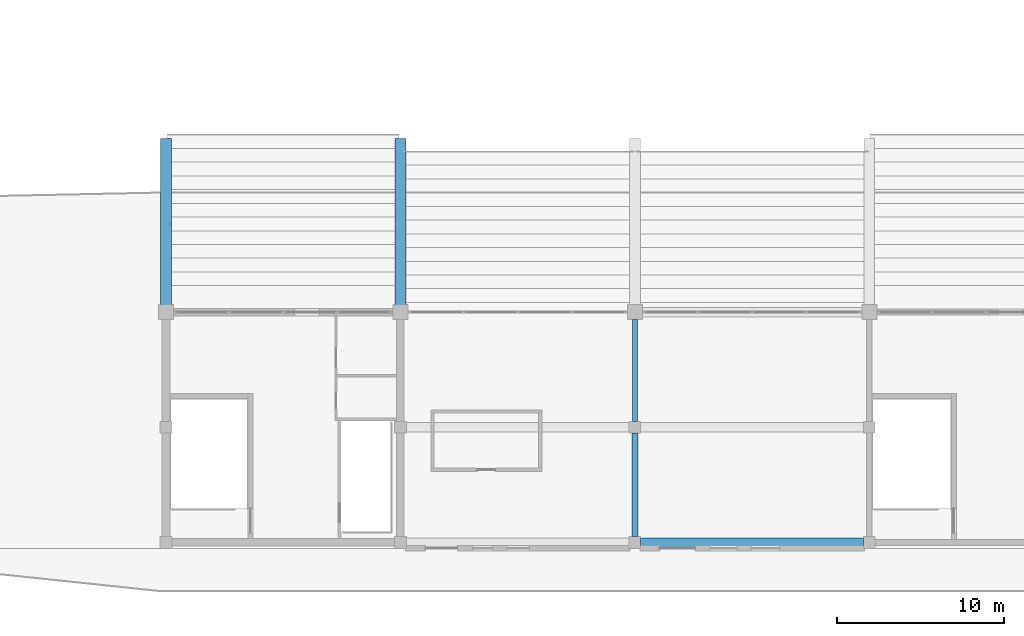
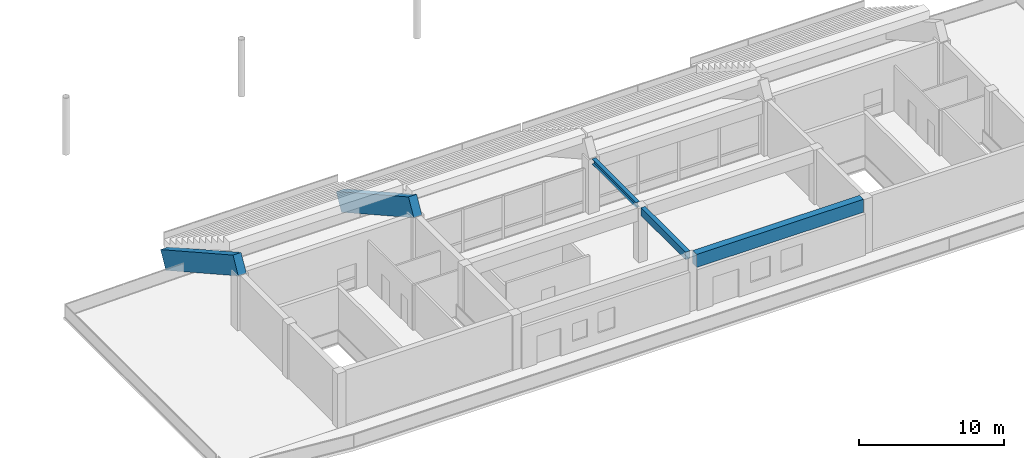
# One storey, part 21 of 94: 5 beams.
"""IFC4 building model written with IfcOpenShell, lengths in metres."""

from ifc_helpers import new_model, si_unit, direction, frame, origin, origin_2d, place, context, subcontext, project, spatial, rectangle, i_section, extrude, material, material_profile, profile_set, type_object, element, save


model = new_model("IFC4")

# Units and contexts
model_context = context("Model", 3, precision=1e-05, world=origin(), true_north=direction((0.0, 1.0)))
body_context = subcontext(model_context, "Body", "Model", "MODEL_VIEW")
ifc_project = project(units=[si_unit("LENGTHUNIT", "METRE"), si_unit("AREAUNIT", "SQUARE_METRE"), si_unit("VOLUMEUNIT", "CUBIC_METRE"), si_unit("PLANEANGLEUNIT", "RADIAN"), si_unit("MASSUNIT", "GRAM", prefix="KILO")], contexts=[model_context])

# Site, building, storey
site_placement = place(None, origin())
site = spatial("IfcSite", under=ifc_project, at=site_placement, CompositionType="ELEMENT")
building_placement = place(site_placement, origin())
building = spatial("IfcBuilding", under=site, at=building_placement, Name="Linyun Crest Stadium", CompositionType="ELEMENT")
storey_placement = place(building_placement, frame((0.0, 0.0, 16.199951171875)))
storey = spatial("IfcBuildingStorey", under=building, at=storey_placement, Name="L04", CompositionType="ELEMENT", Elevation=16.199951171875)

# Beams
ifc_material_1 = material(Name="Concrete C40", Category="concrete")
ifc_material_profile_1 = material_profile(ifc_material_1, rectangle(XDim=0.35009765625, YDim=0.64990234375, at=origin_2d()), Name="RCB 650x350")
ifc_profile_set_1 = profile_set([ifc_material_profile_1], Name="Concrete C40")
beam_type_1 = type_object("IfcBeamType", Name="B02", PredefinedType="BEAM", material=ifc_profile_set_1)
beam_1_placement = place(storey_placement, frame((0.0, -86.89990234375, 4.27001953125), z_axis=(0.0, 1.0, 0.0), x_axis=(-1.0, 0.0, 0.0)))
element("IfcBeam", 1, at=beam_1_placement, inside=storey, type_object=beam_type_1, Name="Frame beam B02 L04 945", PredefinedType="BEAM", context=body_context, shape_type="SweptSolid", body=[
    extrude(rectangle(XDim=0.35009765625, YDim=0.64990234375, at=origin_2d()), origin(), (0.0, 0.0, 1.0), 6.1748046875),
])
ifc_material_2 = material(Name="Steel Q355C", Category="steel")
ifc_material_profile_2 = material_profile(ifc_material_2, i_section(OverallWidth=0.300048828125, OverallDepth=0.43994140625, WebThickness=0.010986328125, FlangeThickness=0.01806640625, at=origin_2d()), Name="HM 440x300")
ifc_profile_set_2 = profile_set([ifc_material_profile_2], Name="Steel Q355C")
beam_type_2 = type_object("IfcBeamType", Name="B07", PredefinedType="BEAM", material=ifc_profile_set_2)
beam_2_placement = place(storey_placement, frame((0.0, -80.02490234375, 4.375), z_axis=(0.0, 1.0, 0.0), x_axis=(-1.0, 0.0, 0.0)))
element("IfcBeam", 2, at=beam_2_placement, inside=storey, type_object=beam_type_2, Name="Frame beam B07 L04 946", PredefinedType="BEAM", context=body_context, shape_type="SweptSolid", body=[
    extrude(i_section(OverallWidth=0.300048828125, OverallDepth=0.43994140625, WebThickness=0.010986328125, FlangeThickness=0.01806640625, at=origin_2d()), origin(), (0.0, 0.0, 1.0), 6.074951171875),
])
ifc_material_3 = material(Name="Precast concrete C50", Category="concrete")
ifc_material_profile_3 = material_profile(ifc_material_3, rectangle(XDim=0.64990234375, YDim=1.5, at=origin_2d()), Name="PCR 1500x650")
ifc_profile_set_3 = profile_set([ifc_material_profile_3], Name="Precast concrete C50")
beam_type_3 = type_object("IfcBeamType", Name="RB04", PredefinedType="USERDEFINED", material=ifc_profile_set_3)
for number, where, z_axis, x_axis, name in (
    (3, (-28.0, -63.5, -0.39990234375), (0.0, -0.872511464526, 0.488593639205), (1.0, 0.0, 0.0), "Precast raker beam RB04 V4 70"),
    (4, (-14.0, -63.5, -0.39990234375), (0.0, -0.872511464526, 0.488593639205), (1.0, 0.0, 0.0), "Precast raker beam RB04 V4 76"),
):
    element("IfcBeam", number, at=place(storey_placement, frame(where, z_axis=z_axis, x_axis=x_axis)), inside=storey, type_object=beam_type_3, Name=name, ObjectType="RAKER", PredefinedType="USERDEFINED", context=body_context, shape_type="SweptSolid", body=[
        extrude(rectangle(XDim=0.64990234375, YDim=1.5, at=origin_2d()), origin(), (0.0, 0.0, 1.0), 11.461181640625),
    ])
ifc_material_4 = material(Name="Concrete C50", Category="concrete")
ifc_material_profile_4 = material_profile(ifc_material_4, rectangle(XDim=0.550048828125, YDim=1.10009765625, at=origin_2d()), Name="RCB 1100x550")
ifc_profile_set_4 = profile_set([ifc_material_profile_4], Name="Concrete C50")
beam_type_4 = type_object("IfcBeamType", Name="TB01", PredefinedType="USERDEFINED", material=ifc_profile_set_4)
beam_3_placement = place(storey_placement, frame((0.35009765625, -87.25, 4.045166015625), z_axis=(1.0, 0.0, 0.0), x_axis=(0.0, 1.0, 0.0)))
element("IfcBeam", 5, at=beam_3_placement, inside=storey, type_object=beam_type_4, Name="Frame beam TB01 L04 941", ObjectType="GIRDER", PredefinedType="USERDEFINED", context=body_context, shape_type="SweptSolid", body=[
    extrude(rectangle(XDim=0.550048828125, YDim=1.10009765625, at=origin_2d()), origin(), (0.0, 0.0, 1.0), 13.2998046875),
])

save(model, "model.ifc")
